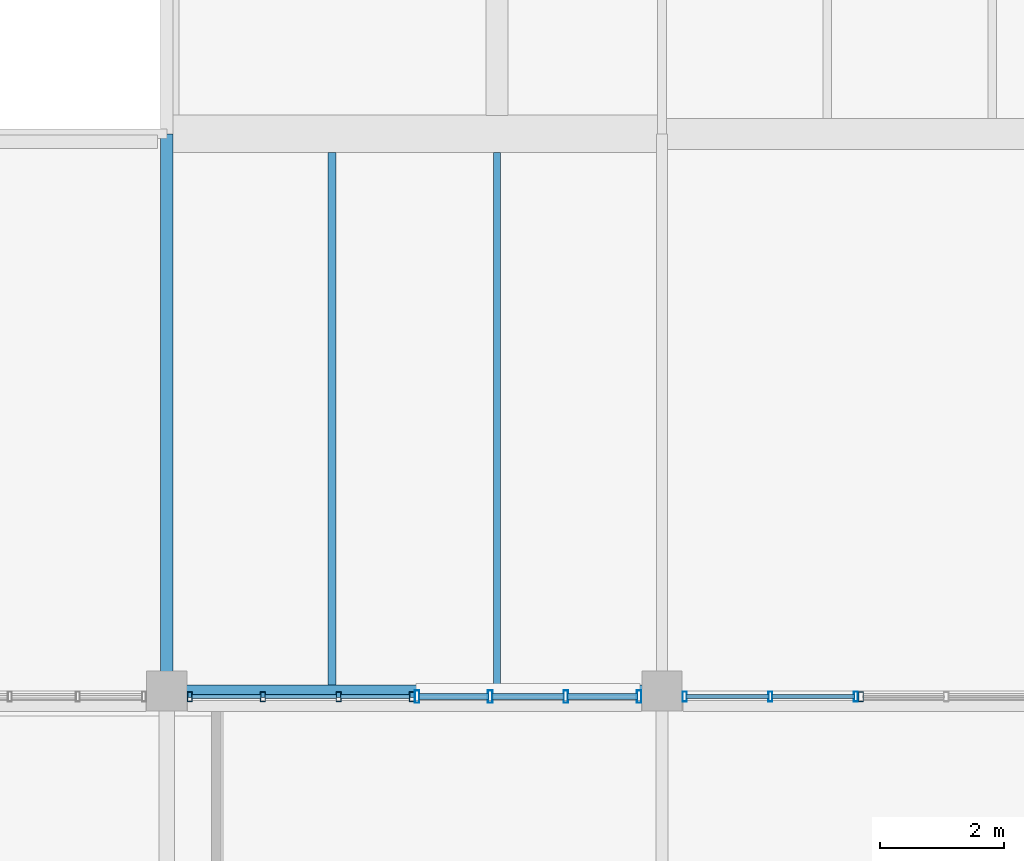
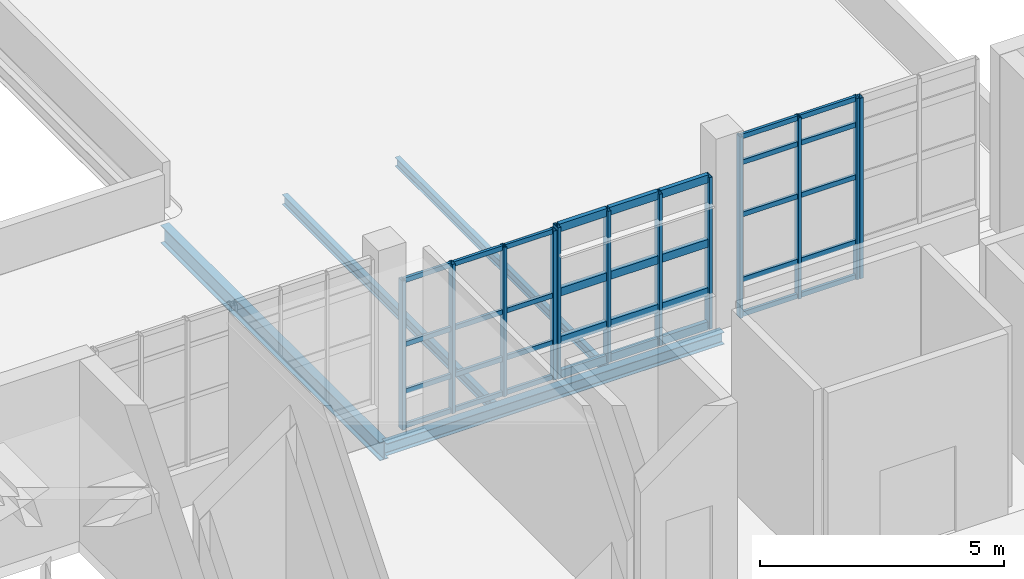
# One storey, part 68 of 127: 46 members, 4 beams, 4 elements without a shape of their own.
"""IFC4 building model written with IfcOpenShell, lengths in metres."""

from ifc_helpers import new_model, si_unit, derived_unit, direction, frame, origin, origin_2d, place, context, subcontext, project, spatial, hollow_rectangle, i_section, extrude, material, layer, layer_set, material_profile, profile_set, type_object, element, aggregate, save


model = new_model("IFC4")

# Units and contexts
model_context = context("Model", 3, precision=1e-05, world=origin(), true_north=direction((0.0, 1.0)))
body_context = subcontext(model_context, "Body", "Model", "MODEL_VIEW")
ifc_project = project(units=[si_unit("LENGTHUNIT", "METRE"), si_unit("AREAUNIT", "SQUARE_METRE"), si_unit("VOLUMEUNIT", "CUBIC_METRE"), si_unit("PLANEANGLEUNIT", "RADIAN"), si_unit("MASSUNIT", "GRAM", prefix="KILO"), derived_unit("THERMALTRANSMITTANCEUNIT", [(si_unit("POWERUNIT", "WATT"), 1), (si_unit("LENGTHUNIT", "METRE"), -2), (si_unit("THERMODYNAMICTEMPERATUREUNIT", "KELVIN"), -1)])], contexts=[model_context])

# Site, building, storey
site_placement = place(None, origin())
site = spatial("IfcSite", under=ifc_project, at=site_placement, CompositionType="ELEMENT")
building_placement = place(site_placement, origin())
building = spatial("IfcBuilding", under=site, at=building_placement, Name="Nallur Shell Playhouse", CompositionType="ELEMENT")
storey_placement = place(building_placement, frame((0.0, 0.0, 5.39990234375)))
storey = spatial("IfcBuildingStorey", under=building, at=storey_placement, Name="L02", CompositionType="ELEMENT", Elevation=5.39990234375)

# Beams
ifc_material_1 = material(Name="Steel E250", Category="steel")
ifc_material_profile_1 = material_profile(ifc_material_1, i_section(OverallWidth=0.110107421875, OverallDepth=0.22509765625, WebThickness=0.006591796875, FlangeThickness=0.01171875, FilletRadius=0.011962890625, at=origin_2d()), Name="ISMB 225")
ifc_profile_set_1 = profile_set([ifc_material_profile_1], Name="Steel E250")
beam_type_1 = type_object("IfcBeamType", Name="BM-JST-ISMB225", PredefinedType="JOIST", material=ifc_profile_set_1)
beam_1_placement = place(storey_placement, frame((45.333251953125, 83.097900390625, -0.392333984375), z_axis=(0.0, 1.0, 0.0), x_axis=(-1.0, 0.0, 0.0)))
element("IfcBeam", 1, at=beam_1_placement, inside=storey, type_object=beam_type_1, Name="L02 secondary joist 5-K-515", PredefinedType="JOIST", context=body_context, shape_type="SweptSolid", body=[
    extrude(i_section(OverallWidth=0.110107421875, OverallDepth=0.22509765625, WebThickness=0.006591796875, FlangeThickness=0.01171875, FilletRadius=0.011962890625, at=origin_2d()), origin(), (0.0, 0.0, 1.0), 8.60400390625),
])
ifc_material_profile_2 = material_profile(ifc_material_1, i_section(OverallWidth=0.125, OverallDepth=0.25, WebThickness=0.0068359375, FlangeThickness=0.012451171875, FilletRadius=0.012939453125, at=origin_2d()), Name="ISMB 250")
ifc_profile_set_2 = profile_set([ifc_material_profile_2], Name="Steel E250")
beam_type_2 = type_object("IfcBeamType", Name="BM-JST-ISMB250", PredefinedType="JOIST", material=ifc_profile_set_2)
beam_2_placement = place(storey_placement, frame((42.666748046875, 83.097900390625, -0.40478515625), z_axis=(0.0, 1.0, 0.0), x_axis=(-1.0, 0.0, 0.0)))
element("IfcBeam", 2, at=beam_2_placement, inside=storey, type_object=beam_type_2, Name="L02 secondary joist 5-K-514", PredefinedType="JOIST", context=body_context, shape_type="SweptSolid", body=[
    extrude(i_section(OverallWidth=0.125, OverallDepth=0.25, WebThickness=0.0068359375, FlangeThickness=0.012451171875, FilletRadius=0.012939453125, at=origin_2d()), origin(), (0.0, 0.0, 1.0), 8.60400390625),
])
ifc_material_profile_3 = material_profile(ifc_material_1, i_section(OverallWidth=0.199951171875, OverallDepth=0.300048828125, WebThickness=0.00732421875, FlangeThickness=0.010009765625, FilletRadius=0.010986328125, at=origin_2d()), Name="ISWB 300")
ifc_profile_set_3 = profile_set([ifc_material_profile_3], Name="Steel E250")
beam_type_3 = type_object("IfcBeamType", Name="BM-ST-ISWB300", PredefinedType="BEAM", material=ifc_profile_set_3)
beam_3_placement = place(storey_placement, frame((40.0, 83.0, -0.429931640625), z_axis=(1.0, 0.0, 0.0), x_axis=(0.0, 1.0, 0.0)))
element("IfcBeam", 3, at=beam_3_placement, inside=storey, type_object=beam_type_3, Name="L02 girder X-K-375", PredefinedType="BEAM", context=body_context, shape_type="SweptSolid", body=[
    extrude(i_section(OverallWidth=0.199951171875, OverallDepth=0.300048828125, WebThickness=0.00732421875, FlangeThickness=0.010009765625, FilletRadius=0.010986328125, at=origin_2d()), origin(), (0.0, 0.0, 1.0), 8.0),
])
ifc_material_2 = material(Name="Steel E350", Category="steel")
ifc_material_profile_4 = material_profile(ifc_material_2, i_section(OverallWidth=0.199951171875, OverallDepth=0.449951171875, WebThickness=0.00927734375, FlangeThickness=0.015380859375, FilletRadius=0.013916015625, at=origin_2d()), Name="ISWB 450")
ifc_profile_set_4 = profile_set([ifc_material_profile_4], Name="Steel E350")
beam_type_4 = type_object("IfcBeamType", Name="BM-ST-ISWB450", PredefinedType="BEAM", material=ifc_profile_set_4)
beam_4_placement = place(storey_placement, frame((40.0, 83.0, -0.5048828125), z_axis=(0.0, 1.0, 0.0), x_axis=(-1.0, 0.0, 0.0)))
element("IfcBeam", 4, at=beam_4_placement, inside=storey, type_object=beam_type_4, Name="L02 girder Y-5-420", PredefinedType="BEAM", context=body_context, shape_type="SweptSolid", body=[
    extrude(i_section(OverallWidth=0.199951171875, OverallDepth=0.449951171875, WebThickness=0.00927734375, FlangeThickness=0.015380859375, FilletRadius=0.013916015625, at=origin_2d()), origin(), (0.0, 0.0, 1.0), 9.0),
])

# Curtain wall, members
ifc_material_3 = material(Name="Anodised Aluminium Double-Glazed Facade System", Category="aluminium")
ifc_layer_1 = layer(ifc_material_3, 0.179931640625)
ifc_layer_set_1 = layer_set([ifc_layer_1], Name="Anodised Aluminium Double-Glazed Facade System")
curtain_wall_type_1 = type_object("IfcCurtainWallType", Name="CW-UNIT-23", PredefinedType="NOTDEFINED", material=ifc_layer_set_1)
curtain_wall_1_placement = place(storey_placement, origin())
curtain_wall_1 = element("IfcCurtainWall", 5, at=curtain_wall_1_placement, inside=storey, type_object=curtain_wall_type_1, Name="Unitised curtain wall CW-023 (L02)", PredefinedType="NOTDEFINED")
ifc_material_4 = material(Name="Aluminium Alloy 6063-T6 Mullion", Category="aluminium")
ifc_material_profile_5 = material_profile(ifc_material_4, hollow_rectangle(XDim=0.080078125, YDim=0.159912109375, WallThickness=0.006103515625, at=origin_2d()), Name="RHS 160x80x6")
ifc_profile_set_5 = profile_set([ifc_material_profile_5], Name="Aluminium Alloy 6063-T6 Mullion")
member_type_1 = type_object("IfcMemberType", Name="MB-CW-MUL150", PredefinedType="MULLION", material=ifc_profile_set_5)
member_1_placement = place(storey_placement, frame((40.373046875, 82.909912109375, -0.014892578125), z_axis=(0.0, 0.0, 1.0), x_axis=(1.0, 0.0, 0.0)))
member_1 = element("IfcMember", 6, at=member_1_placement, type_object=member_type_1, Name="CW-23 mullion 1", PredefinedType="MULLION", context=body_context, shape_type="SweptSolid", body=[
    extrude(hollow_rectangle(XDim=0.080078125, YDim=0.159912109375, WallThickness=0.006103515625, at=origin_2d()), origin(), (0.0, 0.0, 1.0), 3.73388671875),
])
member_2_placement = place(storey_placement, frame((41.5537109375, 82.909912109375, -0.014892578125), z_axis=(0.0, 0.0, 1.0), x_axis=(1.0, 0.0, 0.0)))
member_2 = element("IfcMember", 7, at=member_2_placement, type_object=member_type_1, Name="CW-23 mullion 2", PredefinedType="MULLION", context=body_context, shape_type="SweptSolid", body=[
    extrude(hollow_rectangle(XDim=0.080078125, YDim=0.159912109375, WallThickness=0.006103515625, at=origin_2d()), origin(), (0.0, 0.0, 1.0), 3.73388671875),
])
member_3_placement = place(storey_placement, frame((42.7744140625, 82.909912109375, -0.014892578125), z_axis=(0.0, 0.0, 1.0), x_axis=(1.0, 0.0, 0.0)))
member_3 = element("IfcMember", 8, at=member_3_placement, type_object=member_type_1, Name="CW-23 mullion 3", PredefinedType="MULLION", context=body_context, shape_type="SweptSolid", body=[
    extrude(hollow_rectangle(XDim=0.080078125, YDim=0.159912109375, WallThickness=0.006103515625, at=origin_2d()), origin(), (0.0, 0.0, 1.0), 3.73388671875),
])
member_4_placement = place(storey_placement, frame((43.955078125, 82.909912109375, -0.014892578125), z_axis=(0.0, 0.0, 1.0), x_axis=(1.0, 0.0, 0.0)))
member_4 = element("IfcMember", 9, at=member_4_placement, type_object=member_type_1, Name="CW-23 mullion 4", PredefinedType="MULLION", context=body_context, shape_type="SweptSolid", body=[
    extrude(hollow_rectangle(XDim=0.080078125, YDim=0.159912109375, WallThickness=0.006103515625, at=origin_2d()), origin(), (0.0, 0.0, 1.0), 3.73388671875),
])

# Curtain wall, member
ifc_layer_2 = layer(ifc_material_3, 0.16796875)
ifc_layer_set_2 = layer_set([ifc_layer_2], Name="Anodised Aluminium Double-Glazed Facade System")
curtain_wall_type_2 = type_object("IfcCurtainWallType", Name="CW-UNIT-26", PredefinedType="NOTDEFINED", material=ifc_layer_set_2)
curtain_wall_2_placement = place(storey_placement, origin())
curtain_wall_2 = element("IfcCurtainWall", 10, at=curtain_wall_2_placement, inside=storey, type_object=curtain_wall_type_2, Name="Unitised curtain wall CW-026 (L02)", PredefinedType="NOTDEFINED")
member_5_placement = place(storey_placement, frame((51.21142578125, 82.909912109375, -0.014892578125), z_axis=(0.0, 0.0, 1.0), x_axis=(1.0, 0.0, 0.0)))
member_5 = element("IfcMember", 11, at=member_5_placement, type_object=member_type_1, Name="CW-26 mullion 1", PredefinedType="MULLION", context=body_context, shape_type="SweptSolid", body=[
    extrude(hollow_rectangle(XDim=0.080078125, YDim=0.159912109375, WallThickness=0.006103515625, at=origin_2d()), origin(), (0.0, 0.0, 1.0), 4.51904296875),
])
aggregate(curtain_wall_2, [member_5])

# Curtain wall, members
ifc_layer_3 = layer(ifc_material_3, 0.1640625)
ifc_layer_set_3 = layer_set([ifc_layer_3], Name="Anodised Aluminium Double-Glazed Facade System")
curtain_wall_type_3 = type_object("IfcCurtainWallType", Name="CW-UNIT-25", PredefinedType="NOTDEFINED", material=ifc_layer_set_3)
curtain_wall_3_placement = place(storey_placement, origin())
curtain_wall_3 = element("IfcCurtainWall", 12, at=curtain_wall_3_placement, inside=storey, type_object=curtain_wall_type_3, Name="Unitised curtain wall CW-025 (L02)", PredefinedType="NOTDEFINED")
ifc_material_profile_6 = material_profile(ifc_material_4, hollow_rectangle(XDim=0.06494140625, YDim=0.159912109375, WallThickness=0.00390625, at=origin_2d()), Name="ALU 65x160x4")
ifc_profile_set_6 = profile_set([ifc_material_profile_6], Name="Aluminium Alloy 6063-T6 Mullion")
member_type_2 = type_object("IfcMemberType", Name="MB-CW-MUL160", PredefinedType="MULLION", material=ifc_profile_set_6)
member_6_placement = place(storey_placement, frame((48.365478515625, 82.909912109375, -0.014892578125), z_axis=(0.0, 0.0, 1.0), x_axis=(1.0, 0.0, 0.0)))
member_6 = element("IfcMember", 13, at=member_6_placement, type_object=member_type_2, Name="CW-25 mullion 1", PredefinedType="MULLION", context=body_context, shape_type="SweptSolid", body=[
    extrude(hollow_rectangle(XDim=0.06494140625, YDim=0.159912109375, WallThickness=0.00390625, at=origin_2d()), origin(), (0.0, 0.0, 1.0), 4.5390625),
])
member_7_placement = place(storey_placement, frame((49.747314453125, 82.909912109375, -0.014892578125), z_axis=(0.0, 0.0, 1.0), x_axis=(1.0, 0.0, 0.0)))
member_7 = element("IfcMember", 14, at=member_7_placement, type_object=member_type_2, Name="CW-25 mullion 2", PredefinedType="MULLION", context=body_context, shape_type="SweptSolid", body=[
    extrude(hollow_rectangle(XDim=0.06494140625, YDim=0.159912109375, WallThickness=0.00390625, at=origin_2d()), origin(), (0.0, 0.0, 1.0), 4.5390625),
])
member_8_placement = place(storey_placement, frame((51.12890625, 82.909912109375, -0.014892578125), z_axis=(0.0, 0.0, 1.0), x_axis=(1.0, 0.0, 0.0)))
member_8 = element("IfcMember", 15, at=member_8_placement, type_object=member_type_2, Name="CW-25 mullion 3", PredefinedType="MULLION", context=body_context, shape_type="SweptSolid", body=[
    extrude(hollow_rectangle(XDim=0.06494140625, YDim=0.159912109375, WallThickness=0.00390625, at=origin_2d()), origin(), (0.0, 0.0, 1.0), 4.5390625),
])

ifc_layer_4 = layer(ifc_material_3, 0.159912109375)
ifc_layer_set_4 = layer_set([ifc_layer_4], Name="Anodised Aluminium Double-Glazed Facade System")
curtain_wall_type_4 = type_object("IfcCurtainWallType", Name="CW-UNIT-24", PredefinedType="NOTDEFINED", material=ifc_layer_set_4)
curtain_wall_4_placement = place(storey_placement, origin())
curtain_wall_4 = element("IfcCurtainWall", 16, at=curtain_wall_4_placement, inside=storey, type_object=curtain_wall_type_4, Name="Unitised curtain wall CW-024 (L02)", PredefinedType="NOTDEFINED")
ifc_material_profile_7 = material_profile(ifc_material_4, hollow_rectangle(XDim=0.074951171875, YDim=0.199951171875, WallThickness=0.0048828125, at=origin_2d()), Name="ALU 75x200x5")
ifc_profile_set_7 = profile_set([ifc_material_profile_7], Name="Aluminium Alloy 6063-T6 Mullion")
member_type_3 = type_object("IfcMemberType", Name="MB-CW-MUL180", PredefinedType="MULLION", material=ifc_profile_set_7)
member_9_placement = place(storey_placement, frame((44.04248046875, 82.909912109375, -0.014892578125), z_axis=(0.0, 0.0, 1.0), x_axis=(1.0, 0.0, 0.0)))
member_9 = element("IfcMember", 17, at=member_9_placement, type_object=member_type_3, Name="CW-24 mullion 1", PredefinedType="MULLION", context=body_context, shape_type="SweptSolid", body=[
    extrude(hollow_rectangle(XDim=0.074951171875, YDim=0.199951171875, WallThickness=0.0048828125, at=origin_2d()), origin(), (0.0, 0.0, 1.0), 3.7939453125),
])
member_10_placement = place(storey_placement, frame((45.2255859375, 82.909912109375, -0.014892578125), z_axis=(0.0, 0.0, 1.0), x_axis=(1.0, 0.0, 0.0)))
member_10 = element("IfcMember", 18, at=member_10_placement, type_object=member_type_3, Name="CW-24 mullion 2", PredefinedType="MULLION", context=body_context, shape_type="SweptSolid", body=[
    extrude(hollow_rectangle(XDim=0.074951171875, YDim=0.199951171875, WallThickness=0.0048828125, at=origin_2d()), origin(), (0.0, 0.0, 1.0), 3.7939453125),
])
member_11_placement = place(storey_placement, frame((46.4462890625, 82.909912109375, -0.014892578125), z_axis=(0.0, 0.0, 1.0), x_axis=(1.0, 0.0, 0.0)))
member_11 = element("IfcMember", 19, at=member_11_placement, type_object=member_type_3, Name="CW-24 mullion 3", PredefinedType="MULLION", context=body_context, shape_type="SweptSolid", body=[
    extrude(hollow_rectangle(XDim=0.074951171875, YDim=0.199951171875, WallThickness=0.0048828125, at=origin_2d()), origin(), (0.0, 0.0, 1.0), 3.7939453125),
])
member_12_placement = place(storey_placement, frame((47.62939453125, 82.909912109375, -0.014892578125), z_axis=(0.0, 0.0, 1.0), x_axis=(1.0, 0.0, 0.0)))
member_12 = element("IfcMember", 20, at=member_12_placement, type_object=member_type_3, Name="CW-24 mullion 4", PredefinedType="MULLION", context=body_context, shape_type="SweptSolid", body=[
    extrude(hollow_rectangle(XDim=0.074951171875, YDim=0.199951171875, WallThickness=0.0048828125, at=origin_2d()), origin(), (0.0, 0.0, 1.0), 3.7939453125),
])

# Member
ifc_material_5 = material(Name="Aluminium Alloy 6063-T6 Transom", Category="aluminium")
ifc_material_profile_8 = material_profile(ifc_material_5, hollow_rectangle(XDim=0.06494140625, YDim=0.1201171875, WallThickness=0.00390625, at=origin_2d()), Name="ALU 65x120x4")
ifc_profile_set_8 = profile_set([ifc_material_profile_8], Name="Aluminium Alloy 6063-T6 Transom")
member_type_4 = type_object("IfcMemberType", Name="MB-CW-TRN120", PredefinedType="USERDEFINED", material=ifc_profile_set_8)
member_13_placement = place(storey_placement, frame((40.405029296875, 82.909912109375, 0.03271484375), z_axis=(1.0, 0.0, 0.0), x_axis=(0.0, 1.0, 0.0)))
member_13 = element("IfcMember", 21, at=member_13_placement, type_object=member_type_4, Name="CW-23 transom 1.1", ObjectType="TRANSOM", PredefinedType="USERDEFINED", context=body_context, shape_type="SweptSolid", body=[
    extrude(hollow_rectangle(XDim=0.06494140625, YDim=0.1201171875, WallThickness=0.00390625, at=origin_2d()), origin(), (0.0, 0.0, 1.0), 1.11669921875),
])

member_14_placement = place(storey_placement, frame((40.405029296875, 82.909912109375, 0.900146484375), z_axis=(1.0, 0.0, 0.0), x_axis=(0.0, 1.0, 0.0)))
member_14 = element("IfcMember", 22, at=member_14_placement, type_object=member_type_4, Name="CW-23 transom 1.2", ObjectType="TRANSOM", PredefinedType="USERDEFINED", context=body_context, shape_type="SweptSolid", body=[
    extrude(hollow_rectangle(XDim=0.06494140625, YDim=0.1201171875, WallThickness=0.00390625, at=origin_2d()), origin(), (0.0, 0.0, 1.0), 1.11669921875),
])

member_15_placement = place(storey_placement, frame((40.405029296875, 82.909912109375, 2.080078125), z_axis=(1.0, 0.0, 0.0), x_axis=(0.0, 1.0, 0.0)))
member_15 = element("IfcMember", 23, at=member_15_placement, type_object=member_type_4, Name="CW-23 transom 1.3", ObjectType="TRANSOM", PredefinedType="USERDEFINED", context=body_context, shape_type="SweptSolid", body=[
    extrude(hollow_rectangle(XDim=0.06494140625, YDim=0.1201171875, WallThickness=0.00390625, at=origin_2d()), origin(), (0.0, 0.0, 1.0), 1.11669921875),
])

member_16_placement = place(storey_placement, frame((40.405029296875, 82.909912109375, 3.6826171875), z_axis=(1.0, 0.0, 0.0), x_axis=(0.0, 1.0, 0.0)))
member_16 = element("IfcMember", 24, at=member_16_placement, type_object=member_type_4, Name="CW-23 transom 1.4", ObjectType="TRANSOM", PredefinedType="USERDEFINED", context=body_context, shape_type="SweptSolid", body=[
    extrude(hollow_rectangle(XDim=0.06494140625, YDim=0.1201171875, WallThickness=0.00390625, at=origin_2d()), origin(), (0.0, 0.0, 1.0), 1.11669921875),
])

member_17_placement = place(storey_placement, frame((41.585693359375, 82.909912109375, 0.03271484375), z_axis=(1.0, 0.0, 0.0), x_axis=(0.0, 1.0, 0.0)))
member_17 = element("IfcMember", 25, at=member_17_placement, type_object=member_type_4, Name="CW-23 transom 2.1", ObjectType="TRANSOM", PredefinedType="USERDEFINED", context=body_context, shape_type="SweptSolid", body=[
    extrude(hollow_rectangle(XDim=0.06494140625, YDim=0.1201171875, WallThickness=0.00390625, at=origin_2d()), origin(), (0.0, 0.0, 1.0), 1.15673828125),
])

member_18_placement = place(storey_placement, frame((41.585693359375, 82.909912109375, 0.900146484375), z_axis=(1.0, 0.0, 0.0), x_axis=(0.0, 1.0, 0.0)))
member_18 = element("IfcMember", 26, at=member_18_placement, type_object=member_type_4, Name="CW-23 transom 2.2", ObjectType="TRANSOM", PredefinedType="USERDEFINED", context=body_context, shape_type="SweptSolid", body=[
    extrude(hollow_rectangle(XDim=0.06494140625, YDim=0.1201171875, WallThickness=0.00390625, at=origin_2d()), origin(), (0.0, 0.0, 1.0), 1.15673828125),
])

member_19_placement = place(storey_placement, frame((41.585693359375, 82.909912109375, 2.080078125), z_axis=(1.0, 0.0, 0.0), x_axis=(0.0, 1.0, 0.0)))
member_19 = element("IfcMember", 27, at=member_19_placement, type_object=member_type_4, Name="CW-23 transom 2.3", ObjectType="TRANSOM", PredefinedType="USERDEFINED", context=body_context, shape_type="SweptSolid", body=[
    extrude(hollow_rectangle(XDim=0.06494140625, YDim=0.1201171875, WallThickness=0.00390625, at=origin_2d()), origin(), (0.0, 0.0, 1.0), 1.15673828125),
])

member_20_placement = place(storey_placement, frame((41.585693359375, 82.909912109375, 3.6826171875), z_axis=(1.0, 0.0, 0.0), x_axis=(0.0, 1.0, 0.0)))
member_20 = element("IfcMember", 28, at=member_20_placement, type_object=member_type_4, Name="CW-23 transom 2.4", ObjectType="TRANSOM", PredefinedType="USERDEFINED", context=body_context, shape_type="SweptSolid", body=[
    extrude(hollow_rectangle(XDim=0.06494140625, YDim=0.1201171875, WallThickness=0.00390625, at=origin_2d()), origin(), (0.0, 0.0, 1.0), 1.15673828125),
])

member_21_placement = place(storey_placement, frame((42.806396484375, 82.909912109375, 0.03271484375), z_axis=(1.0, 0.0, 0.0), x_axis=(0.0, 1.0, 0.0)))
member_21 = element("IfcMember", 29, at=member_21_placement, type_object=member_type_4, Name="CW-23 transom 3.1", ObjectType="TRANSOM", PredefinedType="USERDEFINED", context=body_context, shape_type="SweptSolid", body=[
    extrude(hollow_rectangle(XDim=0.06494140625, YDim=0.1201171875, WallThickness=0.00390625, at=origin_2d()), origin(), (0.0, 0.0, 1.0), 1.11669921875),
])

member_22_placement = place(storey_placement, frame((42.806396484375, 82.909912109375, 0.900146484375), z_axis=(1.0, 0.0, 0.0), x_axis=(0.0, 1.0, 0.0)))
member_22 = element("IfcMember", 30, at=member_22_placement, type_object=member_type_4, Name="CW-23 transom 3.2", ObjectType="TRANSOM", PredefinedType="USERDEFINED", context=body_context, shape_type="SweptSolid", body=[
    extrude(hollow_rectangle(XDim=0.06494140625, YDim=0.1201171875, WallThickness=0.00390625, at=origin_2d()), origin(), (0.0, 0.0, 1.0), 1.11669921875),
])

member_23_placement = place(storey_placement, frame((42.806396484375, 82.909912109375, 2.080078125), z_axis=(1.0, 0.0, 0.0), x_axis=(0.0, 1.0, 0.0)))
member_23 = element("IfcMember", 31, at=member_23_placement, type_object=member_type_4, Name="CW-23 transom 3.3", ObjectType="TRANSOM", PredefinedType="USERDEFINED", context=body_context, shape_type="SweptSolid", body=[
    extrude(hollow_rectangle(XDim=0.06494140625, YDim=0.1201171875, WallThickness=0.00390625, at=origin_2d()), origin(), (0.0, 0.0, 1.0), 1.11669921875),
])

member_24_placement = place(storey_placement, frame((42.806396484375, 82.909912109375, 3.6826171875), z_axis=(1.0, 0.0, 0.0), x_axis=(0.0, 1.0, 0.0)))
member_24 = element("IfcMember", 32, at=member_24_placement, type_object=member_type_4, Name="CW-23 transom 3.4", ObjectType="TRANSOM", PredefinedType="USERDEFINED", context=body_context, shape_type="SweptSolid", body=[
    extrude(hollow_rectangle(XDim=0.06494140625, YDim=0.1201171875, WallThickness=0.00390625, at=origin_2d()), origin(), (0.0, 0.0, 1.0), 1.11669921875),
])

aggregate(curtain_wall_1, [member_1, member_2, member_3, member_4, member_13, member_14, member_15, member_16, member_17, member_18, member_19, member_20, member_21, member_22, member_23, member_24])

member_25_placement = place(storey_placement, frame((48.389892578125, 82.909912109375, 0.03271484375), z_axis=(1.0, 0.0, 0.0), x_axis=(0.0, 1.0, 0.0)))
member_25 = element("IfcMember", 33, at=member_25_placement, type_object=member_type_4, Name="CW-25 transom 1.1", ObjectType="TRANSOM", PredefinedType="USERDEFINED", context=body_context, shape_type="SweptSolid", body=[
    extrude(hollow_rectangle(XDim=0.06494140625, YDim=0.1201171875, WallThickness=0.00390625, at=origin_2d()), origin(), (0.0, 0.0, 1.0), 1.332763671875),
])

member_26_placement = place(storey_placement, frame((48.389892578125, 82.909912109375, 0.900146484375), z_axis=(1.0, 0.0, 0.0), x_axis=(0.0, 1.0, 0.0)))
member_26 = element("IfcMember", 34, at=member_26_placement, type_object=member_type_4, Name="CW-25 transom 1.2", ObjectType="TRANSOM", PredefinedType="USERDEFINED", context=body_context, shape_type="SweptSolid", body=[
    extrude(hollow_rectangle(XDim=0.06494140625, YDim=0.1201171875, WallThickness=0.00390625, at=origin_2d()), origin(), (0.0, 0.0, 1.0), 1.332763671875),
])

member_27_placement = place(storey_placement, frame((48.389892578125, 82.909912109375, 2.531005859375), z_axis=(1.0, 0.0, 0.0), x_axis=(0.0, 1.0, 0.0)))
member_27 = element("IfcMember", 35, at=member_27_placement, type_object=member_type_4, Name="CW-25 transom 1.3", ObjectType="TRANSOM", PredefinedType="USERDEFINED", context=body_context, shape_type="SweptSolid", body=[
    extrude(hollow_rectangle(XDim=0.06494140625, YDim=0.1201171875, WallThickness=0.00390625, at=origin_2d()), origin(), (0.0, 0.0, 1.0), 1.332763671875),
])

member_28_placement = place(storey_placement, frame((48.389892578125, 82.909912109375, 3.840087890625), z_axis=(1.0, 0.0, 0.0), x_axis=(0.0, 1.0, 0.0)))
member_28 = element("IfcMember", 36, at=member_28_placement, type_object=member_type_4, Name="CW-25 transom 1.4", ObjectType="TRANSOM", PredefinedType="USERDEFINED", context=body_context, shape_type="SweptSolid", body=[
    extrude(hollow_rectangle(XDim=0.06494140625, YDim=0.1201171875, WallThickness=0.00390625, at=origin_2d()), origin(), (0.0, 0.0, 1.0), 1.332763671875),
])

member_29_placement = place(storey_placement, frame((48.389892578125, 82.909912109375, 4.487548828125), z_axis=(1.0, 0.0, 0.0), x_axis=(0.0, 1.0, 0.0)))
member_29 = element("IfcMember", 37, at=member_29_placement, type_object=member_type_4, Name="CW-25 transom 1.5", ObjectType="TRANSOM", PredefinedType="USERDEFINED", context=body_context, shape_type="SweptSolid", body=[
    extrude(hollow_rectangle(XDim=0.06494140625, YDim=0.1201171875, WallThickness=0.00390625, at=origin_2d()), origin(), (0.0, 0.0, 1.0), 1.332763671875),
])

member_30_placement = place(storey_placement, frame((49.771728515625, 82.909912109375, 0.03271484375), z_axis=(1.0, 0.0, 0.0), x_axis=(0.0, 1.0, 0.0)))
member_30 = element("IfcMember", 38, at=member_30_placement, type_object=member_type_4, Name="CW-25 transom 2.1", ObjectType="TRANSOM", PredefinedType="USERDEFINED", context=body_context, shape_type="SweptSolid", body=[
    extrude(hollow_rectangle(XDim=0.06494140625, YDim=0.1201171875, WallThickness=0.00390625, at=origin_2d()), origin(), (0.0, 0.0, 1.0), 1.332763671875),
])

member_31_placement = place(storey_placement, frame((49.771728515625, 82.909912109375, 0.900146484375), z_axis=(1.0, 0.0, 0.0), x_axis=(0.0, 1.0, 0.0)))
member_31 = element("IfcMember", 39, at=member_31_placement, type_object=member_type_4, Name="CW-25 transom 2.2", ObjectType="TRANSOM", PredefinedType="USERDEFINED", context=body_context, shape_type="SweptSolid", body=[
    extrude(hollow_rectangle(XDim=0.06494140625, YDim=0.1201171875, WallThickness=0.00390625, at=origin_2d()), origin(), (0.0, 0.0, 1.0), 1.332763671875),
])

member_32_placement = place(storey_placement, frame((49.771728515625, 82.909912109375, 2.531005859375), z_axis=(1.0, 0.0, 0.0), x_axis=(0.0, 1.0, 0.0)))
member_32 = element("IfcMember", 40, at=member_32_placement, type_object=member_type_4, Name="CW-25 transom 2.3", ObjectType="TRANSOM", PredefinedType="USERDEFINED", context=body_context, shape_type="SweptSolid", body=[
    extrude(hollow_rectangle(XDim=0.06494140625, YDim=0.1201171875, WallThickness=0.00390625, at=origin_2d()), origin(), (0.0, 0.0, 1.0), 1.332763671875),
])

member_33_placement = place(storey_placement, frame((49.771728515625, 82.909912109375, 3.840087890625), z_axis=(1.0, 0.0, 0.0), x_axis=(0.0, 1.0, 0.0)))
member_33 = element("IfcMember", 41, at=member_33_placement, type_object=member_type_4, Name="CW-25 transom 2.4", ObjectType="TRANSOM", PredefinedType="USERDEFINED", context=body_context, shape_type="SweptSolid", body=[
    extrude(hollow_rectangle(XDim=0.06494140625, YDim=0.1201171875, WallThickness=0.00390625, at=origin_2d()), origin(), (0.0, 0.0, 1.0), 1.332763671875),
])

member_34_placement = place(storey_placement, frame((49.771728515625, 82.909912109375, 4.487548828125), z_axis=(1.0, 0.0, 0.0), x_axis=(0.0, 1.0, 0.0)))
member_34 = element("IfcMember", 42, at=member_34_placement, type_object=member_type_4, Name="CW-25 transom 2.5", ObjectType="TRANSOM", PredefinedType="USERDEFINED", context=body_context, shape_type="SweptSolid", body=[
    extrude(hollow_rectangle(XDim=0.06494140625, YDim=0.1201171875, WallThickness=0.00390625, at=origin_2d()), origin(), (0.0, 0.0, 1.0), 1.332763671875),
])

aggregate(curtain_wall_3, [member_6, member_7, member_8, member_25, member_26, member_27, member_28, member_29, member_30, member_31, member_32, member_33, member_34])

ifc_material_profile_9 = material_profile(ifc_material_5, hollow_rectangle(XDim=0.10009765625, YDim=0.199951171875, WallThickness=0.008056640625, at=origin_2d()), Name="RHS 200x100x8")
ifc_profile_set_9 = profile_set([ifc_material_profile_9], Name="Aluminium Alloy 6063-T6 Transom")
member_type_5 = type_object("IfcMemberType", Name="MB-CW-TRN140", PredefinedType="USERDEFINED", material=ifc_profile_set_9)
member_35_placement = place(storey_placement, frame((44.072021484375, 82.909912109375, 0.050048828125), z_axis=(1.0, 0.0, 0.0), x_axis=(0.0, 1.0, 0.0)))
member_35 = element("IfcMember", 43, at=member_35_placement, type_object=member_type_5, Name="CW-24 transom 1.1", ObjectType="TRANSOM", PredefinedType="USERDEFINED", context=body_context, shape_type="SweptSolid", body=[
    extrude(hollow_rectangle(XDim=0.10009765625, YDim=0.199951171875, WallThickness=0.008056640625, at=origin_2d()), origin(), (0.0, 0.0, 1.0), 1.1240234375),
])

member_36_placement = place(storey_placement, frame((44.072021484375, 82.909912109375, 0.900146484375), z_axis=(1.0, 0.0, 0.0), x_axis=(0.0, 1.0, 0.0)))
member_36 = element("IfcMember", 44, at=member_36_placement, type_object=member_type_5, Name="CW-24 transom 1.2", ObjectType="TRANSOM", PredefinedType="USERDEFINED", context=body_context, shape_type="SweptSolid", body=[
    extrude(hollow_rectangle(XDim=0.10009765625, YDim=0.199951171875, WallThickness=0.008056640625, at=origin_2d()), origin(), (0.0, 0.0, 1.0), 1.1240234375),
])

member_37_placement = place(storey_placement, frame((44.072021484375, 82.909912109375, 2.114013671875), z_axis=(1.0, 0.0, 0.0), x_axis=(0.0, 1.0, 0.0)))
member_37 = element("IfcMember", 45, at=member_37_placement, type_object=member_type_5, Name="CW-24 transom 1.3", ObjectType="TRANSOM", PredefinedType="USERDEFINED", context=body_context, shape_type="SweptSolid", body=[
    extrude(hollow_rectangle(XDim=0.10009765625, YDim=0.199951171875, WallThickness=0.008056640625, at=origin_2d()), origin(), (0.0, 0.0, 1.0), 1.1240234375),
])

member_38_placement = place(storey_placement, frame((44.072021484375, 82.909912109375, 3.72509765625), z_axis=(1.0, 0.0, 0.0), x_axis=(0.0, 1.0, 0.0)))
member_38 = element("IfcMember", 46, at=member_38_placement, type_object=member_type_5, Name="CW-24 transom 1.4", ObjectType="TRANSOM", PredefinedType="USERDEFINED", context=body_context, shape_type="SweptSolid", body=[
    extrude(hollow_rectangle(XDim=0.10009765625, YDim=0.199951171875, WallThickness=0.008056640625, at=origin_2d()), origin(), (0.0, 0.0, 1.0), 1.1240234375),
])

member_39_placement = place(storey_placement, frame((45.255126953125, 82.909912109375, 0.050048828125), z_axis=(1.0, 0.0, 0.0), x_axis=(0.0, 1.0, 0.0)))
member_39 = element("IfcMember", 47, at=member_39_placement, type_object=member_type_5, Name="CW-24 transom 2.1", ObjectType="TRANSOM", PredefinedType="USERDEFINED", context=body_context, shape_type="SweptSolid", body=[
    extrude(hollow_rectangle(XDim=0.10009765625, YDim=0.199951171875, WallThickness=0.008056640625, at=origin_2d()), origin(), (0.0, 0.0, 1.0), 1.16162109375),
])

member_40_placement = place(storey_placement, frame((45.255126953125, 82.909912109375, 0.900146484375), z_axis=(1.0, 0.0, 0.0), x_axis=(0.0, 1.0, 0.0)))
member_40 = element("IfcMember", 48, at=member_40_placement, type_object=member_type_5, Name="CW-24 transom 2.2", ObjectType="TRANSOM", PredefinedType="USERDEFINED", context=body_context, shape_type="SweptSolid", body=[
    extrude(hollow_rectangle(XDim=0.10009765625, YDim=0.199951171875, WallThickness=0.008056640625, at=origin_2d()), origin(), (0.0, 0.0, 1.0), 1.16162109375),
])

member_41_placement = place(storey_placement, frame((45.255126953125, 82.909912109375, 2.114013671875), z_axis=(1.0, 0.0, 0.0), x_axis=(0.0, 1.0, 0.0)))
member_41 = element("IfcMember", 49, at=member_41_placement, type_object=member_type_5, Name="CW-24 transom 2.3", ObjectType="TRANSOM", PredefinedType="USERDEFINED", context=body_context, shape_type="SweptSolid", body=[
    extrude(hollow_rectangle(XDim=0.10009765625, YDim=0.199951171875, WallThickness=0.008056640625, at=origin_2d()), origin(), (0.0, 0.0, 1.0), 1.16162109375),
])

member_42_placement = place(storey_placement, frame((45.255126953125, 82.909912109375, 3.72509765625), z_axis=(1.0, 0.0, 0.0), x_axis=(0.0, 1.0, 0.0)))
member_42 = element("IfcMember", 50, at=member_42_placement, type_object=member_type_5, Name="CW-24 transom 2.4", ObjectType="TRANSOM", PredefinedType="USERDEFINED", context=body_context, shape_type="SweptSolid", body=[
    extrude(hollow_rectangle(XDim=0.10009765625, YDim=0.199951171875, WallThickness=0.008056640625, at=origin_2d()), origin(), (0.0, 0.0, 1.0), 1.16162109375),
])

member_43_placement = place(storey_placement, frame((46.475830078125, 82.909912109375, 0.050048828125), z_axis=(1.0, 0.0, 0.0), x_axis=(0.0, 1.0, 0.0)))
member_43 = element("IfcMember", 51, at=member_43_placement, type_object=member_type_5, Name="CW-24 transom 3.1", ObjectType="TRANSOM", PredefinedType="USERDEFINED", context=body_context, shape_type="SweptSolid", body=[
    extrude(hollow_rectangle(XDim=0.10009765625, YDim=0.199951171875, WallThickness=0.008056640625, at=origin_2d()), origin(), (0.0, 0.0, 1.0), 1.124267578125),
])

member_44_placement = place(storey_placement, frame((46.475830078125, 82.909912109375, 0.900146484375), z_axis=(1.0, 0.0, 0.0), x_axis=(0.0, 1.0, 0.0)))
member_44 = element("IfcMember", 52, at=member_44_placement, type_object=member_type_5, Name="CW-24 transom 3.2", ObjectType="TRANSOM", PredefinedType="USERDEFINED", context=body_context, shape_type="SweptSolid", body=[
    extrude(hollow_rectangle(XDim=0.10009765625, YDim=0.199951171875, WallThickness=0.008056640625, at=origin_2d()), origin(), (0.0, 0.0, 1.0), 1.124267578125),
])

member_45_placement = place(storey_placement, frame((46.475830078125, 82.909912109375, 2.114013671875), z_axis=(1.0, 0.0, 0.0), x_axis=(0.0, 1.0, 0.0)))
member_45 = element("IfcMember", 53, at=member_45_placement, type_object=member_type_5, Name="CW-24 transom 3.3", ObjectType="TRANSOM", PredefinedType="USERDEFINED", context=body_context, shape_type="SweptSolid", body=[
    extrude(hollow_rectangle(XDim=0.10009765625, YDim=0.199951171875, WallThickness=0.008056640625, at=origin_2d()), origin(), (0.0, 0.0, 1.0), 1.124267578125),
])

member_46_placement = place(storey_placement, frame((46.475830078125, 82.909912109375, 3.72509765625), z_axis=(1.0, 0.0, 0.0), x_axis=(0.0, 1.0, 0.0)))
member_46 = element("IfcMember", 54, at=member_46_placement, type_object=member_type_5, Name="CW-24 transom 3.4", ObjectType="TRANSOM", PredefinedType="USERDEFINED", context=body_context, shape_type="SweptSolid", body=[
    extrude(hollow_rectangle(XDim=0.10009765625, YDim=0.199951171875, WallThickness=0.008056640625, at=origin_2d()), origin(), (0.0, 0.0, 1.0), 1.124267578125),
])

aggregate(curtain_wall_4, [member_9, member_10, member_11, member_12, member_35, member_36, member_37, member_38, member_39, member_40, member_41, member_42, member_43, member_44, member_45, member_46])

save(model, "model.ifc")
